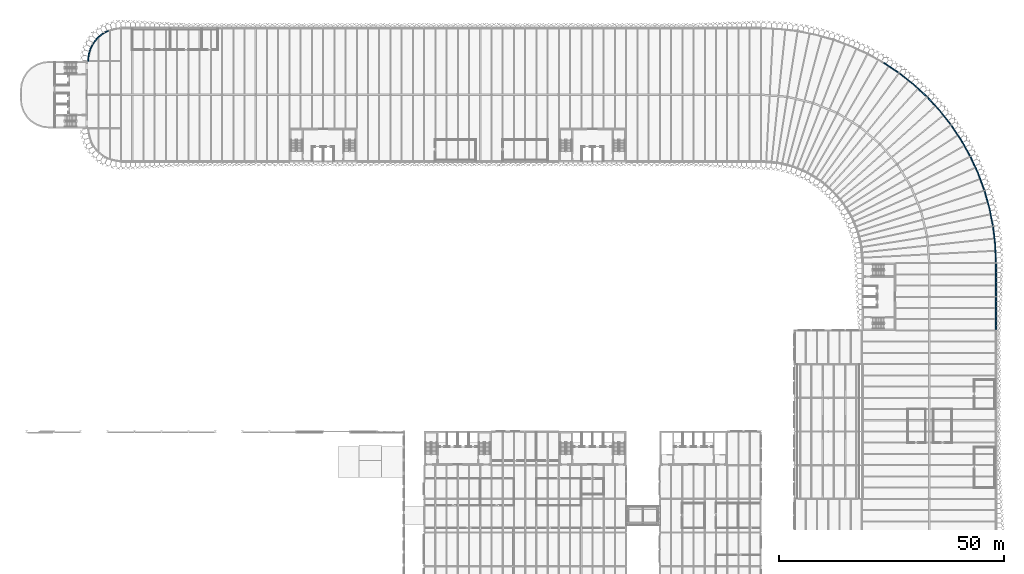
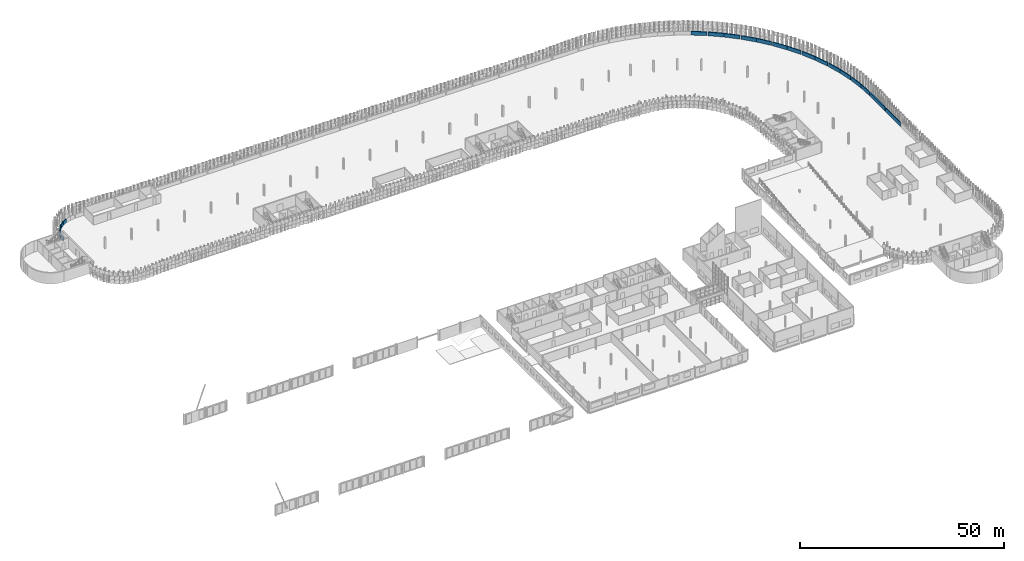
# One storey, part 59 of 198: 21 walls.
"""IFC4 building model written with IfcOpenShell, lengths in metres."""

from ifc_helpers import new_model, si_unit, direction, frame, frame_2d, origin, place, context, subcontext, project, spatial, rectangle, extrude, material, layer, layer_set, type_object, element, save


model = new_model("IFC4")

# Units and contexts
model_context = context("Model", 3, precision=1e-05, world=origin(), true_north=direction((0.0, 1.0)))
body_context = subcontext(model_context, "Body", "Model", "MODEL_VIEW")
ifc_project = project(units=[si_unit("LENGTHUNIT", "METRE"), si_unit("AREAUNIT", "SQUARE_METRE"), si_unit("VOLUMEUNIT", "CUBIC_METRE"), si_unit("PLANEANGLEUNIT", "RADIAN"), si_unit("MASSUNIT", "GRAM", prefix="KILO")], contexts=[model_context])

# Site, building, storey
site_placement = place(None, origin())
site = spatial("IfcSite", under=ifc_project, at=site_placement, CompositionType="ELEMENT")
building_placement = place(site_placement, origin())
building = spatial("IfcBuilding", under=site, at=building_placement, Name="Parallax Yard Mobility Hub", CompositionType="ELEMENT")
storey_placement = place(building_placement, frame((0.0, 0.0, 6.60009765625)))
storey = spatial("IfcBuildingStorey", under=building, at=storey_placement, Name="L02", CompositionType="ELEMENT", Elevation=6.60009765625)

# Walls
ifc_material = material(Name="Concrete fc' 35 MPa", Category="concrete")
ifc_layer = layer(ifc_material, 0.25)
ifc_layer_set = layer_set([ifc_layer], Name="Deck-edge barrier wall, Concrete fc' 35 MPa precast, 250")
wall_type = type_object("IfcWallType", Name="Deck-edge barrier wall, Concrete fc' 35 MPa precast, 250", PredefinedType="SOLIDWALL", material=ifc_layer_set)
wall_1_placement = place(storey_placement, frame((224.854248046875, 75.151611328125, 0.0), z_axis=(0.0, 0.0, 1.0), x_axis=(0.0, 1.0, 0.0)))
element("IfcWall", 1, at=wall_1_placement, inside=storey, type_object=wall_type, Name="Deck-edge barrier wall bay 39 level L02", PredefinedType="SOLIDWALL", context=body_context, shape_type="SweptSolid", body=[
    extrude(rectangle(XDim=7.19677734375, YDim=0.25, at=frame_2d((3.598388671875, 0.0))), origin(), (0.0, 0.0, 1.0), 1.099853515625),
])
wall_2_placement = place(storey_placement, frame((224.854248046875, 82.651611328125, 0.0), z_axis=(0.0, 0.0, 1.0), x_axis=(0.0, 1.0, 0.0)))
element("IfcWall", 2, at=wall_2_placement, inside=storey, type_object=wall_type, Name="Deck-edge barrier wall bay 40 level L02", PredefinedType="SOLIDWALL", context=body_context, shape_type="SweptSolid", body=[
    extrude(rectangle(XDim=7.198974609375, YDim=0.25, at=frame_2d((3.599609375, 0.0))), origin(), (0.0, 0.0, 1.0), 1.099853515625),
])
wall_3_placement = place(storey_placement, frame((224.84814453125, 90.147705078125, 0.0), z_axis=(0.0, 0.0, 1.0), x_axis=(-0.040229232484, 0.999190476763, 0.0)))
element("IfcWall", 3, at=wall_3_placement, inside=storey, type_object=wall_type, Name="Deck-edge barrier wall bay 41-1 level L02", PredefinedType="SOLIDWALL", context=body_context, shape_type="SweptSolid", body=[
    extrude(rectangle(XDim=3.956787109375, YDim=0.25, at=frame_2d((1.978515625, 0.0))), origin(), (0.0, 0.0, 1.0), 1.099853515625),
])
wall_4_placement = place(storey_placement, frame((224.68798828125, 94.113525390625, 0.0), z_axis=(0.0, 0.0, 1.0), x_axis=(-0.117868253469, 0.993029241676, 0.0)))
element("IfcWall", 4, at=wall_4_placement, inside=storey, type_object=wall_type, Name="Deck-edge barrier wall bay 41-2 level L02", PredefinedType="SOLIDWALL", context=body_context, shape_type="SweptSolid", body=[
    extrude(rectangle(XDim=3.958251953125, YDim=0.25, at=frame_2d((1.97900390625, 0.0))), origin(), (0.0, 0.0, 1.0), 1.099853515625),
])
wall_5_placement = place(storey_placement, frame((224.17578125, 98.332275390625, 0.0), z_axis=(0.0, 0.0, 1.0), x_axis=(-0.194763882975, 0.980850156695, 0.0)))
element("IfcWall", 5, at=wall_5_placement, inside=storey, type_object=wall_type, Name="Deck-edge barrier wall bay 42-1 level L02", PredefinedType="SOLIDWALL", context=body_context, shape_type="SweptSolid", body=[
    extrude(rectangle(XDim=3.958740234375, YDim=0.25, at=frame_2d((1.9794921875, 0.0))), origin(), (0.0, 0.0, 1.0), 1.099853515625),
])
wall_6_placement = place(storey_placement, frame((223.40185546875, 102.22705078125, 0.0), z_axis=(0.0, 0.0, 1.0), x_axis=(-0.270484941421, 0.962724205816, 0.0)))
element("IfcWall", 6, at=wall_6_placement, inside=storey, type_object=wall_type, Name="Deck-edge barrier wall bay 42-2 level L02", PredefinedType="SOLIDWALL", context=body_context, shape_type="SweptSolid", body=[
    extrude(rectangle(XDim=3.960693359375, YDim=0.25, at=frame_2d((1.98046875, 0.0))), origin(), (0.0, 0.0, 1.0), 1.099853515625),
])
wall_7_placement = place(storey_placement, frame((222.240478515625, 106.31689453125, 0.0), z_axis=(0.0, 0.0, 1.0), x_axis=(-0.347063151697, 0.937841761031, 0.0)))
element("IfcWall", 7, at=wall_7_placement, inside=storey, type_object=wall_type, Name="Deck-edge barrier wall bay 43-1 level L02", PredefinedType="SOLIDWALL", context=body_context, shape_type="SweptSolid", body=[
    extrude(rectangle(XDim=3.956787109375, YDim=0.25, at=frame_2d((1.978515625, 0.0))), origin(), (0.0, 0.0, 1.0), 1.099853515625),
])
wall_8_placement = place(storey_placement, frame((220.862548828125, 110.039306640625, 0.0), z_axis=(0.0, 0.0, 1.0), x_axis=(-0.418991682378, 0.907990071586, 0.0)))
element("IfcWall", 8, at=wall_8_placement, inside=storey, type_object=wall_type, Name="Deck-edge barrier wall bay 43-2 level L02", PredefinedType="SOLIDWALL", context=body_context, shape_type="SweptSolid", body=[
    extrude(rectangle(XDim=3.958251953125, YDim=0.25, at=frame_2d((1.97900390625, 0.0))), origin(), (0.0, 0.0, 1.0), 1.099853515625),
])
wall_9_placement = place(storey_placement, frame((219.072021484375, 113.89306640625, 0.0), z_axis=(0.0, 0.0, 1.0), x_axis=(-0.488347931105, 0.872649012024, 0.0)))
element("IfcWall", 9, at=wall_9_placement, inside=storey, type_object=wall_type, Name="Deck-edge barrier wall bay 44-1 level L02", PredefinedType="SOLIDWALL", context=body_context, shape_type="SweptSolid", body=[
    extrude(rectangle(XDim=3.95849609375, YDim=0.25, at=frame_2d((1.979248046875, 0.0))), origin(), (0.0, 0.0, 1.0), 1.099853515625),
])
wall_10_placement = place(storey_placement, frame((217.13232421875, 117.35791015625, 0.0), z_axis=(0.0, 0.0, 1.0), x_axis=(-0.554771389927, 0.83200282747, 0.0)))
element("IfcWall", 10, at=wall_10_placement, inside=storey, type_object=wall_type, Name="Deck-edge barrier wall bay 44-2 level L02", PredefinedType="SOLIDWALL", context=body_context, shape_type="SweptSolid", body=[
    extrude(rectangle(XDim=3.956787109375, YDim=0.25, at=frame_2d((1.978515625, 0.0))), origin(), (0.0, 0.0, 1.0), 1.099853515625),
])
wall_11_placement = place(storey_placement, frame((214.766357421875, 120.885498046875, 0.0), z_axis=(0.0, 0.0, 1.0), x_axis=(-0.619842123879, 0.78472653929, 0.0)))
element("IfcWall", 11, at=wall_11_placement, inside=storey, type_object=wall_type, Name="Deck-edge barrier wall bay 45-1 level L02", PredefinedType="SOLIDWALL", context=body_context, shape_type="SweptSolid", body=[
    extrude(rectangle(XDim=3.960693359375, YDim=0.25, at=frame_2d((1.98046875, 0.0))), origin(), (0.0, 0.0, 1.0), 1.099853515625),
])
for number, where, z_axis, x_axis, name in (
    (12, (212.30322265625, 124.003173828125, 0.0), (0.0, 0.0, 1.0), (-0.67903284157, 0.734107894025, 0.0), "Deck-edge barrier wall bay 45-2 level L02"),
    (13, (209.4091796875, 127.115234375, 0.0), (0.0, 0.0, 1.0), (-0.734107894025, 0.67903284157, 0.0), "Deck-edge barrier wall bay 46-1 level L02"),
):
    element("IfcWall", number, at=place(storey_placement, frame(where, z_axis=z_axis, x_axis=x_axis)), inside=storey, type_object=wall_type, Name=name, PredefinedType="SOLIDWALL", context=body_context, shape_type="SweptSolid", body=[
        extrude(rectangle(XDim=3.95849609375, YDim=0.25, at=frame_2d((1.979248046875, 0.0))), origin(), (0.0, 0.0, 1.0), 1.099853515625),
    ])
wall_12_placement = place(storey_placement, frame((206.49365234375, 129.811279296875, 0.0), z_axis=(0.0, 0.0, 1.0), x_axis=(-0.784694773209, 0.619882337946, 0.0)))
element("IfcWall", 14, at=wall_12_placement, inside=storey, type_object=wall_type, Name="Deck-edge barrier wall bay 46-2 level L02", PredefinedType="SOLIDWALL", context=body_context, shape_type="SweptSolid", body=[
    extrude(rectangle(XDim=3.95654296875, YDim=0.25, at=frame_2d((1.978271484375, 0.0))), origin(), (0.0, 0.0, 1.0), 1.099853515625),
])
wall_13_placement = place(storey_placement, frame((203.153564453125, 132.43505859375, 0.0), z_axis=(0.0, 0.0, 1.0), x_axis=(-0.83203132877, 0.554728643524, 0.0)))
element("IfcWall", 15, at=wall_13_placement, inside=storey, type_object=wall_type, Name="Deck-edge barrier wall bay 47-1 level L02", PredefinedType="SOLIDWALL", context=body_context, shape_type="SweptSolid", body=[
    extrude(rectangle(XDim=3.9609375, YDim=0.25, at=frame_2d((1.98046875, 0.0))), origin(), (0.0, 0.0, 1.0), 1.099853515625),
])
for number, where, z_axis, x_axis, name in (
    (16, (27.175048828125, 141.784423828125, 0.0), (0.0, 0.0, 1.0), (-0.881950271557, -0.47134246414, 0.0), "Deck-edge barrier wall bay 70-3 level L02"),
    (17, (25.90625, 141.103271484375, 0.0), (0.0, 0.0, 1.0), (-0.773162570817, -0.634207883179, 0.0), "Deck-edge barrier wall bay 70-4 level L02"),
    (18, (24.794921875, 140.187744140625, 0.0), (0.0, 0.0, 1.0), (-0.634687762211, -0.772768687577, 0.0), "Deck-edge barrier wall bay 70-5 level L02"),
    (19, (23.883056640625, 139.072998046875, 0.0), (0.0, 0.0, 1.0), (-0.471683538305, -0.881767905796, 0.0), "Deck-edge barrier wall bay 70-6 level L02"),
):
    element("IfcWall", number, at=place(storey_placement, frame(where, z_axis=z_axis, x_axis=x_axis)), inside=storey, type_object=wall_type, Name=name, PredefinedType="SOLIDWALL", context=body_context, shape_type="SweptSolid", body=[
        extrude(rectangle(XDim=1.410888671875, YDim=0.25, at=frame_2d((0.70556640625, 0.0))), origin(), (0.0, 0.0, 1.0), 1.099853515625),
    ])
wall_14_placement = place(storey_placement, frame((23.206298828125, 137.802001953125, 0.0), z_axis=(0.0, 0.0, 1.0), x_axis=(-0.290679627319, -0.956820439927, 0.0)))
element("IfcWall", 20, at=wall_14_placement, inside=storey, type_object=wall_type, Name="Deck-edge barrier wall bay 70-7 level L02", PredefinedType="SOLIDWALL", context=body_context, shape_type="SweptSolid", body=[
    extrude(rectangle(XDim=1.4111328125, YDim=0.25, at=frame_2d((0.70556640625, 0.0))), origin(), (0.0, 0.0, 1.0), 1.099853515625),
])
wall_15_placement = place(storey_placement, frame((22.790283203125, 136.42333984375, 0.0), z_axis=(0.0, 0.0, 1.0), x_axis=(-0.098479948823, -0.995139035351, 0.0)))
element("IfcWall", 21, at=wall_15_placement, inside=storey, type_object=wall_type, Name="Deck-edge barrier wall bay 70-8 level L02", PredefinedType="SOLIDWALL", context=body_context, shape_type="SweptSolid", body=[
    extrude(rectangle(XDim=1.4404296875, YDim=0.25, at=frame_2d((0.72021484375, 0.0))), origin(), (0.0, 0.0, 1.0), 1.099853515625),
])

save(model, "model.ifc")
